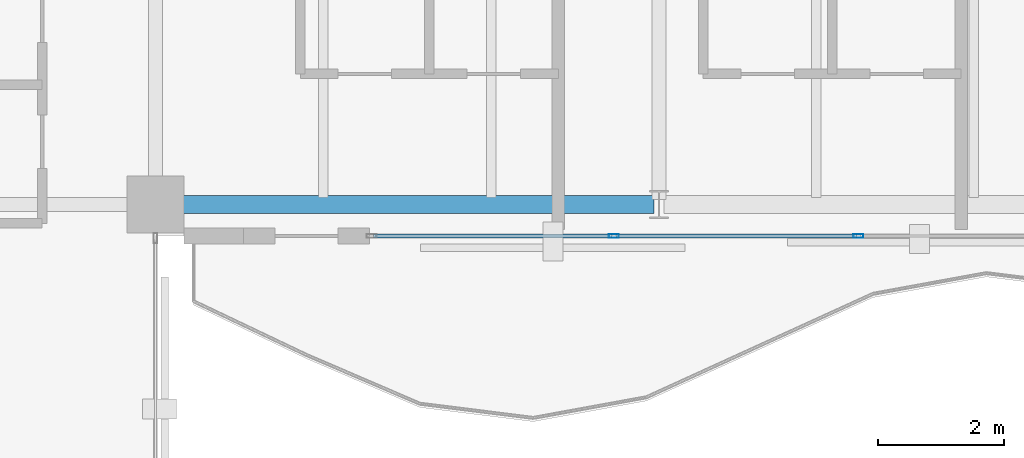
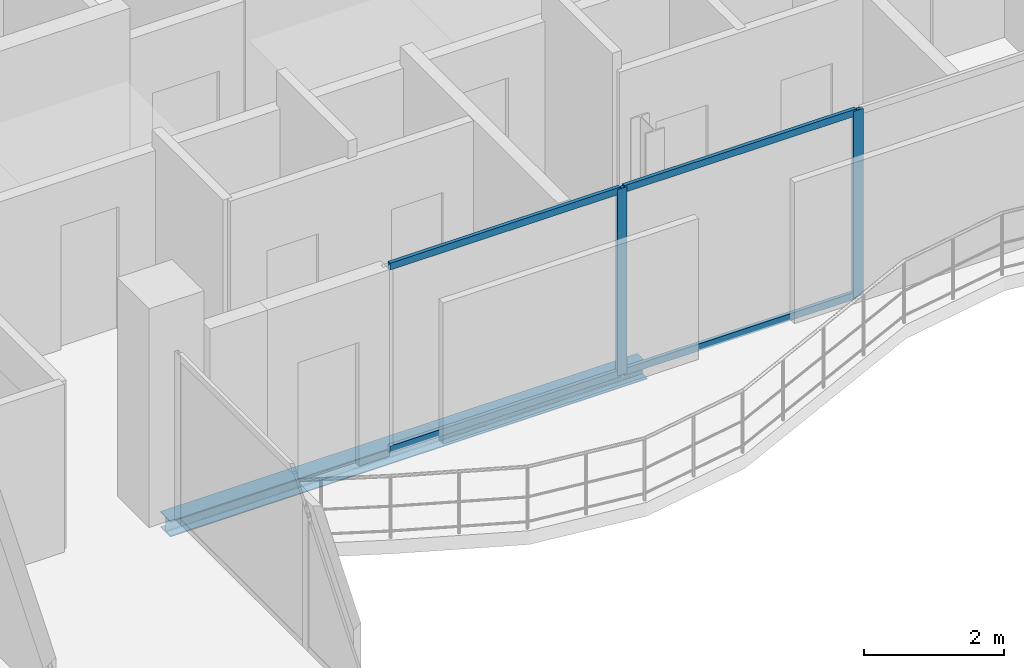
# One storey, part 9 of 22: 6 members, 1 beam, 1 element without a shape of its own.
"""IFC4 building model written with IfcOpenShell, lengths in metres."""

from ifc_helpers import new_model, si_unit, direction, frame, origin, origin_2d, place, context, subcontext, project, spatial, hollow_rectangle, i_section, extrude, material, layer, layer_set, material_profile, profile_set, type_object, element, aggregate, save


model = new_model("IFC4")

# Units and contexts
model_context = context("Model", 3, precision=1e-05, world=origin(), true_north=direction((0.0, 1.0)))
body_context = subcontext(model_context, "Body", "Model", "MODEL_VIEW")
ifc_project = project(units=[si_unit("LENGTHUNIT", "METRE"), si_unit("AREAUNIT", "SQUARE_METRE"), si_unit("VOLUMEUNIT", "CUBIC_METRE"), si_unit("PLANEANGLEUNIT", "RADIAN"), si_unit("MASSUNIT", "GRAM", prefix="KILO")], contexts=[model_context])

# Site, building, storey
site_placement = place(None, origin())
site = spatial("IfcSite", under=ifc_project, at=site_placement, CompositionType="ELEMENT")
building_placement = place(site_placement, origin())
building = spatial("IfcBuilding", under=site, at=building_placement, Name="Catumbela Crestline Tower", CompositionType="ELEMENT")
storey_placement = place(building_placement, frame((0.0, 0.0, 233.6)))
storey = spatial("IfcBuildingStorey", under=building, at=storey_placement, Name="L60", CompositionType="ELEMENT", Elevation=233.6)

# Curtain wall, members
ifc_material_1 = material(Name="Aluminium alloy AW-6060-T66", Category="aluminium")
ifc_layer = layer(ifc_material_1, 0.18, Name="Aluminium alloy AW-6060-T66")
ifc_layer_set = layer_set([ifc_layer], Name="Aluminium alloy AW-6060-T66")
curtain_wall_type = type_object("IfcCurtainWallType", Name="CWU-Z4", PredefinedType="USERDEFINED", material=ifc_layer_set)
curtain_wall_placement = place(storey_placement, origin())
curtain_wall = element("IfcCurtainWall", 1, at=curtain_wall_placement, inside=storey, type_object=curtain_wall_type, Name="L60 Unitised Curtain Wall CW-L60-E3S2", ObjectType="UNITISED", PredefinedType="USERDEFINED")
ifc_material_profile_1 = material_profile(ifc_material_1, hollow_rectangle(XDim=0.06, YDim=0.16, WallThickness=0.004, at=origin_2d()), Name="ALU 160x60x4")
ifc_profile_set_1 = profile_set([ifc_material_profile_1], Name="Aluminium alloy AW-6060-T66")
member_type_1 = type_object("IfcMemberType", Name="MUL-160X60", PredefinedType="MULLION", material=ifc_profile_set_1)
member_1_placement = place(storey_placement, frame((31.2833, 24.0, 0.0), z_axis=(0.0, 0.0, 1.0), x_axis=(0.0, 1.0, 0.0)))
member_1 = element("IfcMember", 2, at=member_1_placement, type_object=member_type_1, Name="CWU-Z4 mullion 2", PredefinedType="MULLION", context=body_context, shape_type="SweptSolid", body=[
    extrude(hollow_rectangle(XDim=0.06, YDim=0.16, WallThickness=0.004, at=origin_2d()), origin(), (0.0, 0.0, 1.0), 3.24),
])
member_2_placement = place(storey_placement, frame((35.1667, 24.0, 0.0), z_axis=(0.0, 0.0, 1.0), x_axis=(0.0, 1.0, 0.0)))
member_2 = element("IfcMember", 3, at=member_2_placement, type_object=member_type_1, Name="CWU-Z4 mullion 3", PredefinedType="MULLION", context=body_context, shape_type="SweptSolid", body=[
    extrude(hollow_rectangle(XDim=0.06, YDim=0.16, WallThickness=0.004, at=origin_2d()), origin(), (0.0, 0.0, 1.0), 3.24),
])

# Beam
ifc_material_2 = material(Name="Structural steel S355J2", Category="steel")
ifc_material_profile_2 = material_profile(ifc_material_2, i_section(OverallWidth=0.28, OverallDepth=0.28, WebThickness=0.0105, FlangeThickness=0.018, FilletRadius=0.024, at=origin_2d()), Name="HEB 280")
ifc_profile_set_2 = profile_set([ifc_material_profile_2], Name="Structural steel S355J2")
beam_type = type_object("IfcBeamType", Name="BS-HEB280", PredefinedType="SPANDREL", material=ifc_profile_set_2)
beam_placement = place(storey_placement, frame((24.08, 24.5, -0.4), z_axis=(1.0, 0.0, 0.0), x_axis=(0.0, 1.0, 0.0)))
element("IfcBeam", 4, at=beam_placement, inside=storey, type_object=beam_type, Name="L60 Spandrel SP-L60-S04", PredefinedType="SPANDREL", context=body_context, shape_type="SweptSolid", body=[
    extrude(i_section(OverallWidth=0.28, OverallDepth=0.28, WebThickness=0.0105, FlangeThickness=0.018, FilletRadius=0.024, at=origin_2d()), origin(), (0.0, 0.0, 1.0), 7.84),
])

# Member
ifc_material_profile_3 = material_profile(ifc_material_1, hollow_rectangle(XDim=0.06, YDim=0.12, WallThickness=0.0035, at=origin_2d()), Name="ALU 120x60x3.5")
ifc_profile_set_3 = profile_set([ifc_material_profile_3], Name="Aluminium alloy AW-6060-T66")
member_type_2 = type_object("IfcMemberType", Name="TRN-120X60", PredefinedType="USERDEFINED", material=ifc_profile_set_3)
member_3_placement = place(storey_placement, frame((27.465, 24.0, 0.03), z_axis=(1.0, 0.0, 0.0), x_axis=(0.0, 1.0, 0.0)))
member_3 = element("IfcMember", 5, at=member_3_placement, type_object=member_type_2, Name="CWU-Z4 transom 1.1", ObjectType="TRANSOM", PredefinedType="USERDEFINED", context=body_context, shape_type="SweptSolid", body=[
    extrude(hollow_rectangle(XDim=0.06, YDim=0.12, WallThickness=0.0035, at=origin_2d()), origin(), (0.0, 0.0, 1.0), 3.7858),
])

member_4_placement = place(storey_placement, frame((27.465, 24.0, 3.21), z_axis=(1.0, 0.0, 0.0), x_axis=(0.0, 1.0, 0.0)))
member_4 = element("IfcMember", 6, at=member_4_placement, type_object=member_type_2, Name="CWU-Z4 transom 1.2", ObjectType="TRANSOM", PredefinedType="USERDEFINED", context=body_context, shape_type="SweptSolid", body=[
    extrude(hollow_rectangle(XDim=0.06, YDim=0.12, WallThickness=0.0035, at=origin_2d()), origin(), (0.0, 0.0, 1.0), 3.7858),
])

member_5_placement = place(storey_placement, frame((31.3158, 24.0, 0.03), z_axis=(1.0, 0.0, 0.0), x_axis=(0.0, 1.0, 0.0)))
member_5 = element("IfcMember", 7, at=member_5_placement, type_object=member_type_2, Name="CWU-Z4 transom 2.1", ObjectType="TRANSOM", PredefinedType="USERDEFINED", context=body_context, shape_type="SweptSolid", body=[
    extrude(hollow_rectangle(XDim=0.06, YDim=0.12, WallThickness=0.0035, at=origin_2d()), origin(), (0.0, 0.0, 1.0), 3.8184),
])

member_6_placement = place(storey_placement, frame((31.3158, 24.0, 3.21), z_axis=(1.0, 0.0, 0.0), x_axis=(0.0, 1.0, 0.0)))
member_6 = element("IfcMember", 8, at=member_6_placement, type_object=member_type_2, Name="CWU-Z4 transom 2.2", ObjectType="TRANSOM", PredefinedType="USERDEFINED", context=body_context, shape_type="SweptSolid", body=[
    extrude(hollow_rectangle(XDim=0.06, YDim=0.12, WallThickness=0.0035, at=origin_2d()), origin(), (0.0, 0.0, 1.0), 3.8184),
])

aggregate(curtain_wall, [member_1, member_2, member_3, member_4, member_5, member_6])

save(model, "model.ifc")
